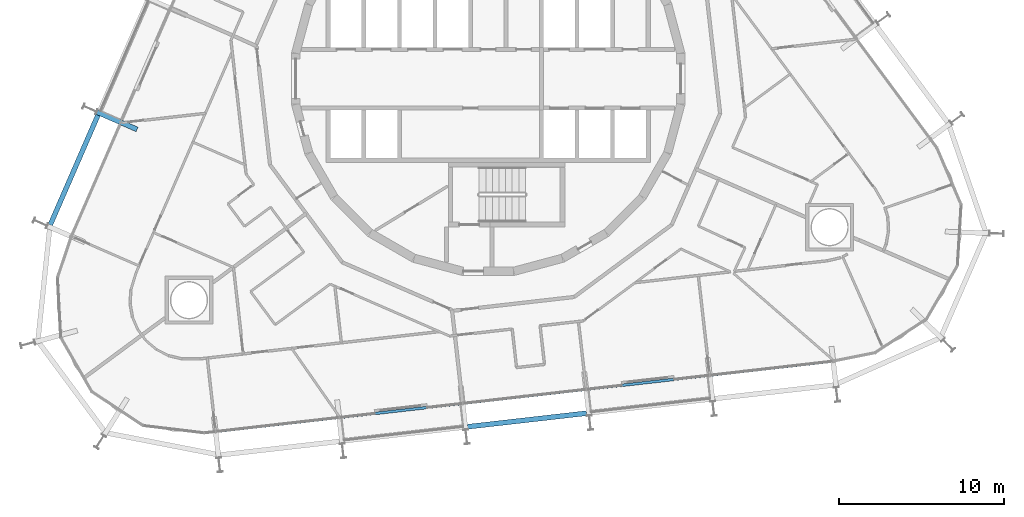
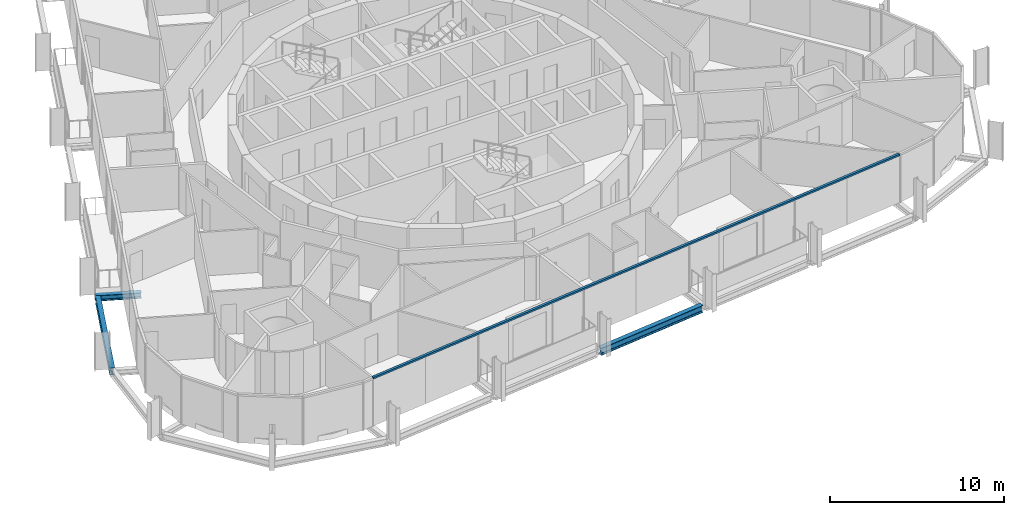
# One storey, part 4 of 23: 3 beams, 1 member, 1 element without a shape of its own.
"""IFC4 building model written with IfcOpenShell, lengths in metres."""

import ifcopenshell
import ifcopenshell.guid

model = None  # the IFC model being written
_history = None  # IfcOwnerHistory: only IFC2X3 demands one
_inside = {}  # id of a spatial element -> (the spatial element, [elements in it])
_under = {}  # id of a project, library or spatial element -> (it, [spatial elements below it])
_declared = {}  # id of a project -> (the project, [libraries it declares])
_typed = {}  # id of a type object -> (the type object, [elements of that type])
_made_of = {}  # id of a material, layer set ... -> (it, [elements and type objects made of it])


def new_model(schema):
    """Start an empty IFC model of exactly this schema.

    Asked for "IFC4X3", IfcOpenShell would pick the latest addendum, in which some entities
    have other attributes; the version numbers below select the first issue.
    IFC2X3 requires an IfcOwnerHistory on every rooted entity: one is made here for all.
    """
    global model, _history
    if schema == "IFC4X3":
        model = ifcopenshell.file(schema_version=(4, 3, 0, 0))
    else:
        model = ifcopenshell.file(schema=schema)
    _inside.clear()
    _under.clear()
    _declared.clear()
    _typed.clear()
    _made_of.clear()
    _history = None
    if model.schema == "IFC2X3":
        org = make("IfcOrganization", Name="unknown")
        user = make(
            "IfcPersonAndOrganization",
            ThePerson=make("IfcPerson", FamilyName="unknown"),
            TheOrganization=org,
        )
        app = make(
            "IfcApplication",
            ApplicationDeveloper=org,
            Version="unknown",
            ApplicationFullName="unknown",
            ApplicationIdentifier="unknown",
        )
        _history = make(
            "IfcOwnerHistory",
            OwningUser=user,
            OwningApplication=app,
            ChangeAction="ADDED",
            CreationDate=0,
        )
    return model


def make(cls, **values):
    """One entity of the class cls with the attributes given. An attribute that is None is left unset."""
    return model.create_entity(
        cls, **{name: value for name, value in values.items() if value is not None}
    )


def rooted(cls, **values):
    """An entity with a GlobalId (a new one), such as an element, a storey or a relation."""
    return make(cls, GlobalId=ifcopenshell.guid.new(), OwnerHistory=_history, **values)


def si_unit(unit_type, name, prefix=None):
    """IfcSIUnit, for example si_unit("LENGTHUNIT", "METRE", prefix="MILLI")."""
    return make("IfcSIUnit", UnitType=unit_type, Prefix=prefix, Name=name)


def assignment(units):
    """IfcUnitAssignment: the units of a project."""
    return None if units is None else make("IfcUnitAssignment", Units=units)


def point(xyz):
    """IfcCartesianPoint."""
    return None if xyz is None else make("IfcCartesianPoint", Coordinates=xyz)


def direction(xyz):
    """IfcDirection."""
    return None if xyz is None else make("IfcDirection", DirectionRatios=xyz)


def frame(location, z_axis=None, x_axis=None):
    """IfcAxis2Placement3D, a coordinate frame: its origin and axes. An axis left out is left unset."""
    return make(
        "IfcAxis2Placement3D",
        Location=point(location),
        Axis=direction(z_axis),
        RefDirection=direction(x_axis),
    )


def frame_2d(location, x_axis=None):
    """IfcAxis2Placement2D, a coordinate frame in the plane: its origin and x axis."""
    return make(
        "IfcAxis2Placement2D", Location=point(location), RefDirection=direction(x_axis)
    )


def origin():
    """The frame at (0, 0, 0) with its axes left unset."""
    return frame((0.0, 0.0, 0.0))


def origin_2d():
    """The frame at (0, 0) in the plane with its x axis left unset."""
    return frame_2d((0.0, 0.0))


def place(relative_to, where):
    """IfcLocalPlacement: puts the frame where relative to a parent placement (None: the world)."""
    return make(
        "IfcLocalPlacement", PlacementRelTo=relative_to, RelativePlacement=where
    )


def context(
    kind, dimensions, precision=None, world=None, true_north=None, identifier=None
):
    """IfcGeometricRepresentationContext, for example the 3D "Model" context."""
    return make(
        "IfcGeometricRepresentationContext",
        ContextIdentifier=identifier,
        ContextType=kind,
        CoordinateSpaceDimension=dimensions,
        Precision=precision,
        WorldCoordinateSystem=world,
        TrueNorth=true_north,
    )


def subcontext(parent, identifier, kind, view, scale=None):
    """IfcGeometricRepresentationSubContext, for example "Body" below "Model"."""
    return make(
        "IfcGeometricRepresentationSubContext",
        ContextIdentifier=identifier,
        ContextType=kind,
        ParentContext=parent,
        TargetScale=scale,
        TargetView=view,
    )


def project(units=None, contexts=None):
    """IfcProject with its units and contexts."""
    return rooted(
        "IfcProject",
        Name="project",
        RepresentationContexts=contexts,
        UnitsInContext=assignment(units),
    )


def spatial(cls, under=None, at=None, **own):
    """A site, building, storey or space (cls), placed at a placement, below another one or the project."""
    s = rooted(cls, ObjectPlacement=at, **own)
    if under is not None:
        _under.setdefault(under.id(), (under, []))[1].append(s)
    return s


def profile(cls, at=None, kind="AREA", **sizes):
    """A parametric profile (cls). Its sizes go by their IFC names, for example OverallWidth=200.0."""
    return make(cls, ProfileType=kind, Position=at, **sizes)


def rectangle(**sizes):
    """IfcRectangleProfileDef."""
    return profile("IfcRectangleProfileDef", **sizes)


def i_section(**sizes):
    """IfcIShapeProfileDef."""
    return profile("IfcIShapeProfileDef", **sizes)


def extrude(swept, where, along, depth):
    """IfcExtrudedAreaSolid: the profile swept, set in the frame where, extruded along a direction by depth."""
    return make(
        "IfcExtrudedAreaSolid",
        SweptArea=swept,
        Position=where,
        ExtrudedDirection=direction(along),
        Depth=depth,
    )


def shape(context_of_items, identifier, shape_type, items):
    """IfcShapeRepresentation: the items that make up one representation, for example the "Body"."""
    return make(
        "IfcShapeRepresentation",
        ContextOfItems=context_of_items,
        RepresentationIdentifier=identifier,
        RepresentationType=shape_type,
        Items=items,
    )


def material(Name=None, Category=None):
    """IfcMaterial."""
    return make("IfcMaterial", Name=Name, Category=Category)


def layer(
    of_material, thickness, ventilated=None, Name=None, Category=None, Priority=None
):
    """IfcMaterialLayer: one layer of a wall or slab, of a material (None: an air gap)."""
    return make(
        "IfcMaterialLayer",
        Material=of_material,
        LayerThickness=thickness,
        IsVentilated=ventilated,
        Name=Name,
        Category=Category,
        Priority=Priority,
    )


def layer_set(layers, Name=None):
    """IfcMaterialLayerSet."""
    return make("IfcMaterialLayerSet", MaterialLayers=layers, LayerSetName=Name)


def material_profile(
    of_material, cross_section, Name=None, Category=None, Priority=None
):
    """IfcMaterialProfile: a cross section and its material."""
    return make(
        "IfcMaterialProfile",
        Name=Name,
        Material=of_material,
        Profile=cross_section,
        Priority=Priority,
        Category=Category,
    )


def profile_set(profiles, Name=None, composite=None):
    """IfcMaterialProfileSet."""
    return make(
        "IfcMaterialProfileSet",
        Name=Name,
        MaterialProfiles=profiles,
        CompositeProfile=composite,
    )


def made_of(thing, what):
    """Note that an element or type object is made of a material, layer set ...; save() writes the relation."""
    if what is not None:
        _made_of.setdefault(what.id(), (what, []))[1].append(thing)
    return thing


def type_object(cls, material=None, **own):
    """A type object (cls), such as IfcWallType, which elements share."""
    return made_of(rooted(cls, **own), material)


def element(
    cls,
    number,
    at=None,
    inside=None,
    cuts=None,
    type_object=None,
    material=None,
    context=None,
    identifier="Body",
    shape_type=None,
    held_by="IfcProductDefinitionShape",
    body=None,
    shapes=None,
    **own,
):
    """One element of the class cls, such as IfcWall. Its Tag is "e" and its number.

    at: its placement. inside: the storey or other place that contains it. cuts: it is an
    opening in that element (IfcRelVoidsElement). A single representation is given by context,
    identifier, shape_type and body (its items); several are given by shapes. held_by: the class
    of the entity that holds the representations. save() writes the other relations.
    """
    e = rooted(cls, Tag="e%d" % number, ObjectPlacement=at, **own)
    if body is not None:
        shapes = [shape(context, identifier, shape_type, body)]
    if shapes is not None:
        e.Representation = make(held_by, Representations=shapes)
    if inside is not None:
        _inside.setdefault(inside.id(), (inside, []))[1].append(e)
    if cuts is not None:
        rooted(
            "IfcRelVoidsElement", RelatingBuildingElement=cuts, RelatedOpeningElement=e
        )
    if type_object is not None:
        _typed.setdefault(type_object.id(), (type_object, []))[1].append(e)
    return made_of(e, material)


def aggregate(whole, parts):
    """IfcRelAggregates: a whole, such as a stair, and the parts it consists of."""
    return rooted("IfcRelAggregates", RelatingObject=whole, RelatedObjects=parts)


def save(model, path):
    """Write the relations noted so far, then the file.

    IfcRelAggregates (storeys below a building ...), IfcRelContainedInSpatialStructure (elements
    in a storey), IfcRelDefinesByType, IfcRelAssociatesMaterial and IfcRelDeclares: one each for
    every whole, place, type object, material and project.
    """
    for whole, parts in _under.values():
        aggregate(whole, parts)
    for where, things in _inside.values():
        rooted(
            "IfcRelContainedInSpatialStructure",
            RelatedElements=things,
            RelatingStructure=where,
        )
    for kind, things in _typed.values():
        rooted("IfcRelDefinesByType", RelatedObjects=things, RelatingType=kind)
    for what, things in _made_of.values():
        rooted("IfcRelAssociatesMaterial", RelatedObjects=things, RelatingMaterial=what)
    for by, libraries in _declared.values():
        rooted("IfcRelDeclares", RelatingContext=by, RelatedDefinitions=libraries)
    model.write(path)


model = new_model("IFC4")

# Units and contexts
model_context = context("Model", 3, precision=1e-05, world=origin(), true_north=direction((0.0, 1.0)))
body_context = subcontext(model_context, "Body", "Model", "MODEL_VIEW")
ifc_project = project(units=[si_unit("LENGTHUNIT", "METRE"), si_unit("AREAUNIT", "SQUARE_METRE"), si_unit("VOLUMEUNIT", "CUBIC_METRE"), si_unit("PLANEANGLEUNIT", "RADIAN"), si_unit("MASSUNIT", "GRAM", prefix="KILO")], contexts=[model_context])

# Site, building, storey
site_placement = place(None, origin())
site = spatial("IfcSite", under=ifc_project, at=site_placement, CompositionType="ELEMENT")
building_placement = place(site_placement, origin())
building = spatial("IfcBuilding", under=site, at=building_placement, Name="Spindle Arch Residences", CompositionType="ELEMENT")
storey_placement = place(building_placement, frame((0.0, 0.0, 104.699951171875)))
storey = spatial("IfcBuildingStorey", under=building, at=storey_placement, Name="L25", CompositionType="ELEMENT", Elevation=104.699951171875)

# Curtain wall, member
ifc_material_1 = material(Name="Aluminium bronze unitised frame with tinted glass", Category="aluminium")
ifc_layer = layer(ifc_material_1, 0.159912109375)
ifc_layer_set = layer_set([ifc_layer], Name="CW-C typical residential unitised wall")
curtain_wall_type = type_object("IfcCurtainWallType", Name="CW-C typical residential unitised wall", PredefinedType="NOTDEFINED", material=ifc_layer_set)
curtain_wall_placement = place(storey_placement, origin())
curtain_wall = element("IfcCurtainWall", 1, at=curtain_wall_placement, inside=storey, type_object=curtain_wall_type, Name="CW-C L25 run 6", PredefinedType="NOTDEFINED")
ifc_material_2 = material(Name="Aluminium bronze anodised transom", Category="aluminium")
ifc_material_profile_1 = material_profile(ifc_material_2, rectangle(XDim=0.159912109375, YDim=0.1201171875, at=origin_2d()), Name="TR 120x160")
ifc_profile_set_1 = profile_set([ifc_material_profile_1], Name="Aluminium bronze anodised transom")
member_type = type_object("IfcMemberType", Name="Bronze transom 120x160", PredefinedType="USERDEFINED", material=ifc_profile_set_1)
member_placement = place(storey_placement, frame((-16.457275390625, -21.337646484375, 2.989990234375), z_axis=(0.993571693336, 0.1132046386, 0.0), x_axis=(-0.1132046386, 0.993571693336, 0.0)))
member = element("IfcMember", 2, at=member_placement, type_object=member_type, Name="CW-C transom 00", ObjectType="TRANSOM", PredefinedType="USERDEFINED", context=body_context, shape_type="SweptSolid", body=[
    extrude(rectangle(XDim=0.159912109375, YDim=0.1201171875, at=origin_2d()), origin(), (0.0, 0.0, 1.0), 37.533935546875),
])
aggregate(curtain_wall, [member])

# Beams
ifc_material_3 = material(Name="Steel S460ML, intumescent coating R 120", Category="steel")
ifc_material_profile_2 = material_profile(ifc_material_3, i_section(OverallWidth=0.300048828125, OverallDepth=0.5, WebThickness=0.014404296875, FlangeThickness=0.028076171875, FilletRadius=0.027099609375, at=origin_2d()), Name="HEB 500")
ifc_profile_set_2 = profile_set([ifc_material_profile_2], Name="Steel S460ML, intumescent coating R 120")
beam_type_1 = type_object("IfcBeamType", Name="Exoskeleton edge beam HEB 500", PredefinedType="BEAM", material=ifc_profile_set_2)
beam_1_placement = place(storey_placement, frame((-23.5966796875, -2.1796875, -0.6298828125), z_axis=(-0.398760546857, -0.917055083553, 0.0), x_axis=(0.917055083553, -0.398760546857, 0.0)))
element("IfcBeam", 3, at=beam_1_placement, inside=storey, type_object=beam_type_1, Name="Exoskeleton edge beam 18", PredefinedType="BEAM", context=body_context, shape_type="SweptSolid", body=[
    extrude(i_section(OverallWidth=0.300048828125, OverallDepth=0.5, WebThickness=0.014404296875, FlangeThickness=0.028076171875, FilletRadius=0.027099609375, at=origin_2d()), origin(), (0.0, 0.0, 1.0), 7.2587890625),
])
beam_2_placement = place(storey_placement, frame((-1.2548828125, -21.0478515625, -0.6298828125), z_axis=(0.993575205863, 0.113173805691, 0.0), x_axis=(-0.113173805691, 0.993575205863, 0.0)))
element("IfcBeam", 4, at=beam_2_placement, inside=storey, type_object=beam_type_1, Name="Exoskeleton edge beam 24", PredefinedType="BEAM", context=body_context, shape_type="SweptSolid", body=[
    extrude(i_section(OverallWidth=0.300048828125, OverallDepth=0.5, WebThickness=0.014404296875, FlangeThickness=0.028076171875, FilletRadius=0.027099609375, at=origin_2d()), origin(), (0.0, 0.0, 1.0), 7.259033203125),
])
ifc_material_4 = material(Name="Steel S460ML, intumescent coating R 120", Category="steel")
ifc_material_profile_3 = material_profile(ifc_material_4, i_section(OverallWidth=0.300048828125, OverallDepth=0.389892578125, WebThickness=0.010986328125, FlangeThickness=0.01904296875, FilletRadius=0.027099609375, at=origin_2d()), Name="HEA 400")
ifc_profile_set_3 = profile_set([ifc_material_profile_3], Name="Steel S460ML, intumescent coating R 120")
beam_type_2 = type_object("IfcBeamType", Name="Floor outrigger HEA 400", PredefinedType="BEAM", material=ifc_profile_set_3)
beam_3_placement = place(storey_placement, frame((-23.670654296875, -2.005859375, -0.574951171875), z_axis=(0.917064197317, -0.398739586698, 0.0), x_axis=(0.398739586698, 0.917064197317, 0.0)))
element("IfcBeam", 5, at=beam_3_placement, inside=storey, type_object=beam_type_2, Name="Floor outrigger 18", PredefinedType="BEAM", context=body_context, shape_type="SweptSolid", body=[
    extrude(i_section(OverallWidth=0.300048828125, OverallDepth=0.389892578125, WebThickness=0.010986328125, FlangeThickness=0.01904296875, FilletRadius=0.027099609375, at=origin_2d()), origin(), (0.0, 0.0, 1.0), 2.64990234375),
])

save(model, "model.ifc")
